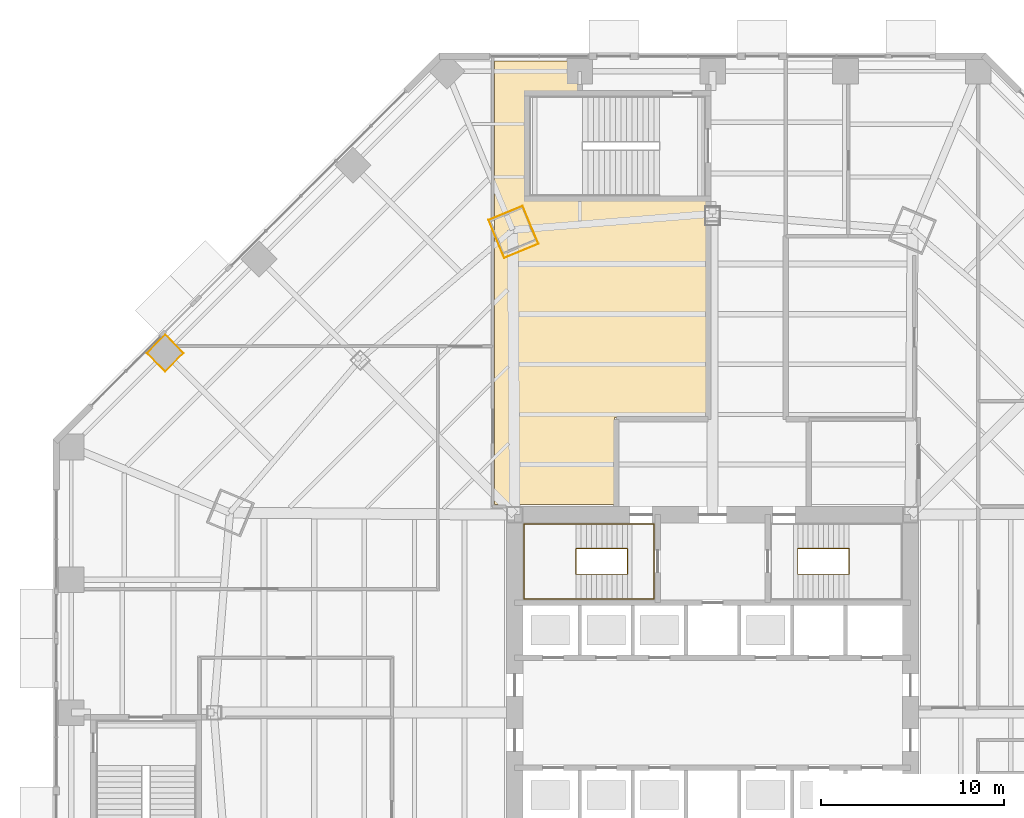
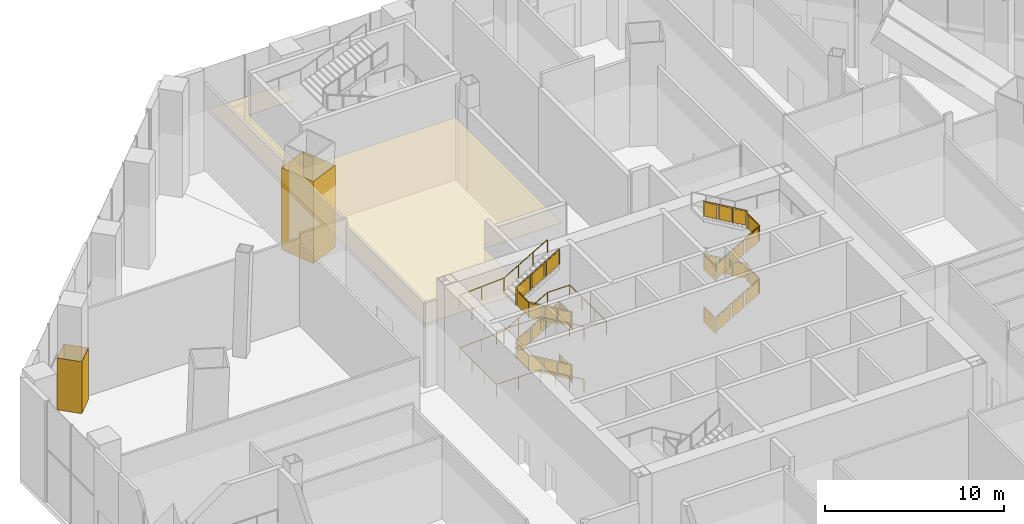
# One storey, part 31 of 35: 3 coverings, 3 railings.
"""IFC4 building model written with IfcOpenShell, lengths in metres."""

from ifc_helpers import new_model, si_unit, direction, frame, origin, origin_2d, place, context, subcontext, project, spatial, polyline, circle, outline, extrude, material, layer, layer_set, type_object, element, save


model = new_model("IFC4")

# Units and contexts
model_context = context("Model", 3, precision=1e-05, world=origin(), true_north=direction((0.0, 1.0)))
body_context = subcontext(model_context, "Body", "Model", "MODEL_VIEW")
ifc_project = project(units=[si_unit("LENGTHUNIT", "METRE"), si_unit("AREAUNIT", "SQUARE_METRE"), si_unit("VOLUMEUNIT", "CUBIC_METRE"), si_unit("PLANEANGLEUNIT", "RADIAN"), si_unit("MASSUNIT", "GRAM", prefix="KILO")], contexts=[model_context])

# Site, building, storey
site_placement = place(None, origin())
site = spatial("IfcSite", under=ifc_project, at=site_placement, CompositionType="ELEMENT")
building_placement = place(site_placement, origin())
building = spatial("IfcBuilding", under=site, at=building_placement, Name="Mashrafa Tower", CompositionType="ELEMENT")
storey_placement = place(building_placement, origin())
storey = spatial("IfcBuildingStorey", under=building, at=storey_placement, Name="L00", CompositionType="ELEMENT", Elevation=0.0)

# Coverings
ifc_material_1 = material(Name="Gypsum board")
ifc_layer_1 = layer(ifc_material_1, 0.014892578125)
ifc_layer_set_1 = layer_set([ifc_layer_1], Name="Column casing plasterboard 15")
covering_type_1 = type_object("IfcCoveringType", Name="Column casing plasterboard 15", PredefinedType="CLADDING", material=ifc_layer_set_1)
covering_1_placement = place(storey_placement, origin())
element("IfcCovering", 1, at=covering_1_placement, inside=storey, type_object=covering_type_1, Name="Column casing L00-001", PredefinedType="CLADDING", context=body_context, shape_type="SweptSolid", body=[
    extrude(outline(polyline([(-11.4638671875, 25.023681640625), (-12.2353515625, 26.88623046875), (-10.35986328125, 27.6630859375), (-10.269775390625, 27.445556640625), (-9.58837890625, 25.800537109375), (-9.498291015625, 25.5830078125), (-11.373779296875, 24.80615234375), (-11.4638671875, 25.023681640625)]), holes=[polyline([(-9.517822265625, 25.59130859375), (-9.602294921875, 25.794921875), (-10.28369140625, 27.439697265625), (-10.367919921875, 27.6435546875), (-12.2158203125, 26.878173828125), (-11.449951171875, 25.029541015625), (-11.365478515625, 24.82568359375), (-9.517822265625, 25.59130859375)])]), origin(), (0.0, 0.0, 1.0), 5.590087890625),
])
covering_2_placement = place(storey_placement, origin())
element("IfcCovering", 2, at=covering_2_placement, inside=storey, type_object=covering_type_1, Name="Column casing L00-004", PredefinedType="CLADDING", context=body_context, shape_type="SweptSolid", body=[
    extrude(outline(polyline([(-30.885498046875, 19.623046875), (-29.87451171875, 20.63427734375), (-28.86328125, 19.623046875), (-29.87451171875, 18.61181640625), (-30.885498046875, 19.623046875)]), holes=[polyline([(-28.884521484375, 19.623046875), (-29.87451171875, 20.613037109375), (-30.8642578125, 19.623046875), (-29.87451171875, 18.63330078125), (-28.884521484375, 19.623046875)])]), origin(), (0.0, 0.0, 1.0), 3.5400390625),
])

# Railings
ifc_material_2 = material(Name="Steel guard with glass infill", Category="steel")
railing_type_1 = type_object("IfcRailingType", Name="Stair guard 1100", PredefinedType="GUARDRAIL", material=ifc_material_2)
railing_1_placement = place(storey_placement, frame((-4.64990234375, 8.949951171875, 0.0)))
element("IfcRailing", 3, at=railing_1_placement, inside=storey, type_object=railing_type_1, Name="Stair S1 guard L00", PredefinedType="GUARDRAIL", context=body_context, shape_type="SweptSolid", body=[
    extrude(circle(Radius=0.02392578125, at=origin_2d()), frame((0.0, 0.0, 1.076171875), z_axis=(0.0, -1.0, 0.0), x_axis=(1.0, 0.0, 0.0)), (0.0, 0.0, 1.0), 1.39990234375),
    extrude(circle(Radius=0.02392578125, at=origin_2d()), frame((0.0, -1.39990234375, 1.076171875), z_axis=(0.0, 0.0, 1.0), x_axis=(1.0, 0.0, 0.0)), (0.0, 0.0, 1.0), 0.16357421875),
    extrude(circle(Radius=0.02392578125, at=origin_2d()), frame((0.0, -1.39990234375, 1.23974609375), z_axis=(-0.863360870873, 0.0, 0.504586966384), x_axis=(0.0, -1.0, 0.0)), (0.0, 0.0, 1.0), 3.2431640625),
    extrude(circle(Radius=0.02392578125, at=origin_2d()), frame((-2.800048828125, -1.39990234375, 2.8759765625), z_axis=(0.0, 1.0, 0.0), x_axis=(-1.0, 0.0, 0.0)), (0.0, 0.0, 1.0), 1.39990234375),
    extrude(circle(Radius=0.02392578125, at=origin_2d()), frame((-2.800048828125, 0.0, 2.8759765625), z_axis=(0.0, 0.0, 1.0), x_axis=(1.0, 0.0, 0.0)), (0.0, 0.0, 1.0), 0.16357421875),
    extrude(circle(Radius=0.02392578125, at=origin_2d()), frame((-2.800048828125, 0.0, 3.03955078125), z_axis=(0.863360870873, 0.0, 0.504586966384), x_axis=(0.0, 1.0, 0.0)), (0.0, 0.0, 1.0), 3.2431640625),
    extrude(circle(Radius=0.02392578125, at=origin_2d()), frame((0.0, 0.0, 4.67626953125), z_axis=(0.0, -1.0, 0.0), x_axis=(1.0, 0.0, 0.0)), (0.0, 0.0, 1.0), 1.39990234375),
    extrude(circle(Radius=0.02392578125, at=origin_2d()), frame((0.0, -1.39990234375, 4.67626953125), z_axis=(0.0, 0.0, 1.0), x_axis=(1.0, 0.0, 0.0)), (0.0, 0.0, 1.0), 0.16357421875),
    extrude(circle(Radius=0.02392578125, at=origin_2d()), frame((0.0, -1.39990234375, 4.83984375), z_axis=(-0.863393664356, 0.0, 0.504530851732), x_axis=(0.0, -1.0, 0.0)), (0.0, 0.0, 1.0), 3.2431640625),
    extrude(circle(Radius=0.02392578125, at=origin_2d()), frame((-2.800048828125, -1.39990234375, 6.47607421875), z_axis=(0.0, 1.0, 0.0), x_axis=(-1.0, 0.0, 0.0)), (0.0, 0.0, 1.0), 1.39990234375),
    extrude(circle(Radius=0.02392578125, at=origin_2d()), frame((-2.800048828125, 0.0, 6.47607421875), z_axis=(0.0, 0.0, 1.0), x_axis=(1.0, 0.0, 0.0)), (0.0, 0.0, 1.0), 0.163818359375),
    extrude(circle(Radius=0.02392578125, at=origin_2d()), frame((-2.800048828125, 0.0, 6.6396484375), z_axis=(0.863393664356, 0.0, 0.504530851732), x_axis=(0.0, 1.0, 0.0)), (0.0, 0.0, 1.0), 3.2431640625),
    extrude(circle(Radius=0.02099609375, at=origin_2d()), origin(), (0.0, 0.0, 1.0), 1.052001953125),
    extrude(circle(Radius=0.02099609375, at=origin_2d()), frame((0.0, -1.39990234375, 0.0)), (0.0, 0.0, 1.0), 1.052001953125),
    extrude(circle(Radius=0.02099609375, at=origin_2d()), frame((0.0, -1.39990234375, 0.16357421875)), (0.0, 0.0, 1.0), 1.052001953125),
    extrude(circle(Radius=0.02099609375, at=origin_2d()), frame((-0.933349609375, -1.39990234375, 0.708984375)), (0.0, 0.0, 1.0), 1.052001953125),
    extrude(circle(Radius=0.02099609375, at=origin_2d()), frame((-1.86669921875, -1.39990234375, 1.254638671875)), (0.0, 0.0, 1.0), 1.052001953125),
    extrude(circle(Radius=0.02099609375, at=origin_2d()), frame((-2.800048828125, -1.39990234375, 1.800048828125)), (0.0, 0.0, 1.0), 1.052001953125),
    extrude(circle(Radius=0.02099609375, at=origin_2d()), frame((-2.800048828125, 0.0, 1.800048828125)), (0.0, 0.0, 1.0), 1.052001953125),
    extrude(circle(Radius=0.02099609375, at=origin_2d()), frame((-2.800048828125, 0.0, 1.963623046875)), (0.0, 0.0, 1.0), 1.052001953125),
    extrude(circle(Radius=0.02099609375, at=origin_2d()), frame((-1.86669921875, 0.0, 2.509033203125)), (0.0, 0.0, 1.0), 1.052001953125),
    extrude(circle(Radius=0.02099609375, at=origin_2d()), frame((-0.933349609375, 0.0, 3.0546875)), (0.0, 0.0, 1.0), 1.052001953125),
    extrude(circle(Radius=0.02099609375, at=origin_2d()), frame((0.0, 0.0, 3.60009765625)), (0.0, 0.0, 1.0), 1.052001953125),
    extrude(circle(Radius=0.02099609375, at=origin_2d()), frame((0.0, -1.39990234375, 3.60009765625)), (0.0, 0.0, 1.0), 1.052001953125),
    extrude(circle(Radius=0.02099609375, at=origin_2d()), frame((0.0, -1.39990234375, 3.763671875)), (0.0, 0.0, 1.0), 1.052001953125),
    extrude(circle(Radius=0.02099609375, at=origin_2d()), frame((-0.933349609375, -1.39990234375, 4.30908203125)), (0.0, 0.0, 1.0), 1.052001953125),
    extrude(circle(Radius=0.02099609375, at=origin_2d()), frame((-1.86669921875, -1.39990234375, 4.8544921875)), (0.0, 0.0, 1.0), 1.052001953125),
    extrude(circle(Radius=0.02099609375, at=origin_2d()), frame((-2.800048828125, -1.39990234375, 5.39990234375)), (0.0, 0.0, 1.0), 1.052001953125),
    extrude(circle(Radius=0.02099609375, at=origin_2d()), frame((-2.800048828125, 0.0, 5.39990234375)), (0.0, 0.0, 1.0), 1.052001953125),
    extrude(circle(Radius=0.02099609375, at=origin_2d()), frame((-2.800048828125, 0.0, 5.563720703125)), (0.0, 0.0, 1.0), 1.052001953125),
    extrude(circle(Radius=0.02099609375, at=origin_2d()), frame((-1.86669921875, 0.0, 6.109130859375)), (0.0, 0.0, 1.0), 1.052001953125),
    extrude(circle(Radius=0.02099609375, at=origin_2d()), frame((-0.933349609375, 0.0, 6.654541015625)), (0.0, 0.0, 1.0), 1.052001953125),
    extrude(circle(Radius=0.02099609375, at=origin_2d()), frame((0.0, 0.0, 7.199951171875)), (0.0, 0.0, 1.0), 1.052001953125),
    extrude(outline(polyline([(0.071044921875, 0.050048828125), (1.328857421875, 0.050048828125), (1.328857421875, 1.001953125), (0.071044921875, 1.001953125), (0.071044921875, 0.050048828125)])), frame((-0.006103515625, 0.0, 0.0), z_axis=(-1.0, 0.0, 0.0), x_axis=(0.0, -1.0, 0.0)), (0.0, 0.0, 1.0), 0.011962890625),
    extrude(outline(polyline([(0.071044921875, 0.091552734375), (0.8623046875, 0.553955078125), (0.8623046875, 1.506103515625), (0.071044921875, 1.04345703125), (0.071044921875, 0.091552734375)])), frame((0.0, -1.393798828125, 0.16357421875), z_axis=(0.0, 1.0, 0.0), x_axis=(-1.0, 0.0, 0.0)), (0.0, 0.0, 1.0), 0.011962890625),
    extrude(outline(polyline([(1.00439453125, 0.636962890625), (1.795654296875, 1.099609375), (1.795654296875, 2.051513671875), (1.00439453125, 1.5888671875), (1.00439453125, 0.636962890625)])), frame((0.0, -1.393798828125, 0.16357421875), z_axis=(0.0, 1.0, 0.0), x_axis=(-1.0, 0.0, 0.0)), (0.0, 0.0, 1.0), 0.011962890625),
    extrude(outline(polyline([(1.937744140625, 1.182373046875), (2.72900390625, 1.64501953125), (2.72900390625, 2.596923828125), (1.937744140625, 2.134521484375), (1.937744140625, 1.182373046875)])), frame((0.0, -1.393798828125, 0.16357421875), z_axis=(0.0, 1.0, 0.0), x_axis=(-1.0, 0.0, 0.0)), (0.0, 0.0, 1.0), 0.011962890625),
    extrude(outline(polyline([(0.071044921875, 0.050048828125), (1.328857421875, 0.050048828125), (1.328857421875, 1.001953125), (0.071044921875, 1.001953125), (0.071044921875, 0.050048828125)])), frame((-2.7939453125, -1.39990234375, 1.800048828125), z_axis=(1.0, 0.0, 0.0), x_axis=(0.0, 1.0, 0.0)), (0.0, 0.0, 1.0), 0.011962890625),
    extrude(outline(polyline([(0.071044921875, 0.091552734375), (0.8623046875, 0.553955078125), (0.8623046875, 1.506103515625), (0.071044921875, 1.04345703125), (0.071044921875, 0.091552734375)])), frame((-2.800048828125, -0.006103515625, 1.963623046875), z_axis=(0.0, -1.0, 0.0), x_axis=(1.0, 0.0, 0.0)), (0.0, 0.0, 1.0), 0.011962890625),
    extrude(outline(polyline([(1.00439453125, 0.636962890625), (1.795654296875, 1.099609375), (1.795654296875, 2.051513671875), (1.00439453125, 1.5888671875), (1.00439453125, 0.636962890625)])), frame((-2.800048828125, -0.006103515625, 1.963623046875), z_axis=(0.0, -1.0, 0.0), x_axis=(1.0, 0.0, 0.0)), (0.0, 0.0, 1.0), 0.011962890625),
    extrude(outline(polyline([(1.937744140625, 1.182373046875), (2.72900390625, 1.64501953125), (2.72900390625, 2.596923828125), (1.937744140625, 2.134521484375), (1.937744140625, 1.182373046875)])), frame((-2.800048828125, -0.006103515625, 1.963623046875), z_axis=(0.0, -1.0, 0.0), x_axis=(1.0, 0.0, 0.0)), (0.0, 0.0, 1.0), 0.011962890625),
    extrude(outline(polyline([(0.071044921875, 0.050048828125), (1.328857421875, 0.050048828125), (1.328857421875, 1.001953125), (0.071044921875, 1.001953125), (0.071044921875, 0.050048828125)])), frame((-0.006103515625, 0.0, 3.60009765625), z_axis=(-1.0, 0.0, 0.0), x_axis=(0.0, -1.0, 0.0)), (0.0, 0.0, 1.0), 0.011962890625),
    extrude(outline(polyline([(0.071044921875, 0.091552734375), (0.8623046875, 0.553955078125), (0.8623046875, 1.505859375), (0.071044921875, 1.04345703125), (0.071044921875, 0.091552734375)])), frame((0.0, -1.393798828125, 3.763671875), z_axis=(0.0, 1.0, 0.0), x_axis=(-1.0, 0.0, 0.0)), (0.0, 0.0, 1.0), 0.011962890625),
    extrude(outline(polyline([(1.00439453125, 0.636962890625), (1.795654296875, 1.099365234375), (1.795654296875, 2.05126953125), (1.00439453125, 1.5888671875), (1.00439453125, 0.636962890625)])), frame((0.0, -1.393798828125, 3.763671875), z_axis=(0.0, 1.0, 0.0), x_axis=(-1.0, 0.0, 0.0)), (0.0, 0.0, 1.0), 0.011962890625),
    extrude(outline(polyline([(1.937744140625, 1.182373046875), (2.72900390625, 1.644775390625), (2.72900390625, 2.5966796875), (1.937744140625, 2.13427734375), (1.937744140625, 1.182373046875)])), frame((0.0, -1.393798828125, 3.763671875), z_axis=(0.0, 1.0, 0.0), x_axis=(-1.0, 0.0, 0.0)), (0.0, 0.0, 1.0), 0.011962890625),
    extrude(outline(polyline([(0.071044921875, 0.050048828125), (1.328857421875, 0.050048828125), (1.328857421875, 1.001953125), (0.071044921875, 1.001953125), (0.071044921875, 0.050048828125)])), frame((-2.7939453125, -1.39990234375, 5.39990234375), z_axis=(1.0, 0.0, 0.0), x_axis=(0.0, 1.0, 0.0)), (0.0, 0.0, 1.0), 0.011962890625),
    extrude(outline(polyline([(0.071044921875, 0.091552734375), (0.8623046875, 0.553955078125), (0.8623046875, 1.505859375), (0.071044921875, 1.04345703125), (0.071044921875, 0.091552734375)])), frame((-2.800048828125, -0.006103515625, 5.563720703125), z_axis=(0.0, -1.0, 0.0), x_axis=(1.0, 0.0, 0.0)), (0.0, 0.0, 1.0), 0.011962890625),
    extrude(outline(polyline([(1.00439453125, 0.636962890625), (1.795654296875, 1.099365234375), (1.795654296875, 2.05126953125), (1.00439453125, 1.5888671875), (1.00439453125, 0.636962890625)])), frame((-2.800048828125, -0.006103515625, 5.563720703125), z_axis=(0.0, -1.0, 0.0), x_axis=(1.0, 0.0, 0.0)), (0.0, 0.0, 1.0), 0.011962890625),
    extrude(outline(polyline([(1.937744140625, 1.182373046875), (2.72900390625, 1.644775390625), (2.72900390625, 2.5966796875), (1.937744140625, 2.13427734375), (1.937744140625, 1.182373046875)])), frame((-2.800048828125, -0.006103515625, 5.563720703125), z_axis=(0.0, -1.0, 0.0), x_axis=(1.0, 0.0, 0.0)), (0.0, 0.0, 1.0), 0.011962890625),
])
railing_2_placement = place(storey_placement, frame((4.64990234375, 8.949951171875, 0.0)))
element("IfcRailing", 4, at=railing_2_placement, inside=storey, type_object=railing_type_1, Name="Stair S2 guard L00", PredefinedType="GUARDRAIL", context=body_context, shape_type="SweptSolid", body=[
    extrude(circle(Radius=0.02392578125, at=origin_2d()), frame((0.0, 0.0, 1.076171875), z_axis=(0.0, -1.0, 0.0), x_axis=(1.0, 0.0, 0.0)), (0.0, 0.0, 1.0), 1.39990234375),
    extrude(circle(Radius=0.02392578125, at=origin_2d()), frame((0.0, -1.39990234375, 1.076171875), z_axis=(0.0, 0.0, 1.0), x_axis=(1.0, 0.0, 0.0)), (0.0, 0.0, 1.0), 0.16357421875),
    extrude(circle(Radius=0.02392578125, at=origin_2d()), frame((0.0, -1.39990234375, 1.23974609375), z_axis=(0.863360870873, 0.0, 0.504586966384), x_axis=(0.0, 1.0, 0.0)), (0.0, 0.0, 1.0), 3.2431640625),
    extrude(circle(Radius=0.02392578125, at=origin_2d()), frame((2.800048828125, -1.39990234375, 2.8759765625), z_axis=(0.0, 1.0, 0.0), x_axis=(-1.0, 0.0, 0.0)), (0.0, 0.0, 1.0), 1.39990234375),
    extrude(circle(Radius=0.02392578125, at=origin_2d()), frame((2.800048828125, 0.0, 2.8759765625), z_axis=(0.0, 0.0, 1.0), x_axis=(1.0, 0.0, 0.0)), (0.0, 0.0, 1.0), 0.16357421875),
    extrude(circle(Radius=0.02392578125, at=origin_2d()), frame((2.800048828125, 0.0, 3.03955078125), z_axis=(-0.863360870873, 0.0, 0.504586966384), x_axis=(0.0, -1.0, 0.0)), (0.0, 0.0, 1.0), 3.2431640625),
    extrude(circle(Radius=0.02392578125, at=origin_2d()), frame((0.0, 0.0, 4.67626953125), z_axis=(0.0, -1.0, 0.0), x_axis=(1.0, 0.0, 0.0)), (0.0, 0.0, 1.0), 1.39990234375),
    extrude(circle(Radius=0.02392578125, at=origin_2d()), frame((0.0, -1.39990234375, 4.67626953125), z_axis=(0.0, 0.0, 1.0), x_axis=(1.0, 0.0, 0.0)), (0.0, 0.0, 1.0), 0.16357421875),
    extrude(circle(Radius=0.02392578125, at=origin_2d()), frame((0.0, -1.39990234375, 4.83984375), z_axis=(0.863393664356, 0.0, 0.504530851732), x_axis=(0.0, 1.0, 0.0)), (0.0, 0.0, 1.0), 3.2431640625),
    extrude(circle(Radius=0.02392578125, at=origin_2d()), frame((2.800048828125, -1.39990234375, 6.47607421875), z_axis=(0.0, 1.0, 0.0), x_axis=(-1.0, 0.0, 0.0)), (0.0, 0.0, 1.0), 1.39990234375),
    extrude(circle(Radius=0.02392578125, at=origin_2d()), frame((2.800048828125, 0.0, 6.47607421875), z_axis=(0.0, 0.0, 1.0), x_axis=(1.0, 0.0, 0.0)), (0.0, 0.0, 1.0), 0.163818359375),
    extrude(circle(Radius=0.02392578125, at=origin_2d()), frame((2.800048828125, 0.0, 6.6396484375), z_axis=(-0.863393664356, 0.0, 0.504530851732), x_axis=(0.0, -1.0, 0.0)), (0.0, 0.0, 1.0), 3.2431640625),
    extrude(circle(Radius=0.02099609375, at=origin_2d()), origin(), (0.0, 0.0, 1.0), 1.052001953125),
    extrude(circle(Radius=0.02099609375, at=origin_2d()), frame((0.0, -1.39990234375, 0.0)), (0.0, 0.0, 1.0), 1.052001953125),
    extrude(circle(Radius=0.02099609375, at=origin_2d()), frame((0.0, -1.39990234375, 0.16357421875)), (0.0, 0.0, 1.0), 1.052001953125),
    extrude(circle(Radius=0.02099609375, at=origin_2d()), frame((0.933349609375, -1.39990234375, 0.708984375)), (0.0, 0.0, 1.0), 1.052001953125),
    extrude(circle(Radius=0.02099609375, at=origin_2d()), frame((1.86669921875, -1.39990234375, 1.254638671875)), (0.0, 0.0, 1.0), 1.052001953125),
    extrude(circle(Radius=0.02099609375, at=origin_2d()), frame((2.800048828125, -1.39990234375, 1.800048828125)), (0.0, 0.0, 1.0), 1.052001953125),
    extrude(circle(Radius=0.02099609375, at=origin_2d()), frame((2.800048828125, 0.0, 1.800048828125)), (0.0, 0.0, 1.0), 1.052001953125),
    extrude(circle(Radius=0.02099609375, at=origin_2d()), frame((2.800048828125, 0.0, 1.963623046875)), (0.0, 0.0, 1.0), 1.052001953125),
    extrude(circle(Radius=0.02099609375, at=origin_2d()), frame((1.86669921875, 0.0, 2.509033203125)), (0.0, 0.0, 1.0), 1.052001953125),
    extrude(circle(Radius=0.02099609375, at=origin_2d()), frame((0.933349609375, 0.0, 3.0546875)), (0.0, 0.0, 1.0), 1.052001953125),
    extrude(circle(Radius=0.02099609375, at=origin_2d()), frame((0.0, 0.0, 3.60009765625)), (0.0, 0.0, 1.0), 1.052001953125),
    extrude(circle(Radius=0.02099609375, at=origin_2d()), frame((0.0, -1.39990234375, 3.60009765625)), (0.0, 0.0, 1.0), 1.052001953125),
    extrude(circle(Radius=0.02099609375, at=origin_2d()), frame((0.0, -1.39990234375, 3.763671875)), (0.0, 0.0, 1.0), 1.052001953125),
    extrude(circle(Radius=0.02099609375, at=origin_2d()), frame((0.933349609375, -1.39990234375, 4.30908203125)), (0.0, 0.0, 1.0), 1.052001953125),
    extrude(circle(Radius=0.02099609375, at=origin_2d()), frame((1.86669921875, -1.39990234375, 4.8544921875)), (0.0, 0.0, 1.0), 1.052001953125),
    extrude(circle(Radius=0.02099609375, at=origin_2d()), frame((2.800048828125, -1.39990234375, 5.39990234375)), (0.0, 0.0, 1.0), 1.052001953125),
    extrude(circle(Radius=0.02099609375, at=origin_2d()), frame((2.800048828125, 0.0, 5.39990234375)), (0.0, 0.0, 1.0), 1.052001953125),
    extrude(circle(Radius=0.02099609375, at=origin_2d()), frame((2.800048828125, 0.0, 5.563720703125)), (0.0, 0.0, 1.0), 1.052001953125),
    extrude(circle(Radius=0.02099609375, at=origin_2d()), frame((1.86669921875, 0.0, 6.109130859375)), (0.0, 0.0, 1.0), 1.052001953125),
    extrude(circle(Radius=0.02099609375, at=origin_2d()), frame((0.933349609375, 0.0, 6.654541015625)), (0.0, 0.0, 1.0), 1.052001953125),
    extrude(circle(Radius=0.02099609375, at=origin_2d()), frame((0.0, 0.0, 7.199951171875)), (0.0, 0.0, 1.0), 1.052001953125),
    extrude(outline(polyline([(0.071044921875, 0.050048828125), (1.328857421875, 0.050048828125), (1.328857421875, 1.001953125), (0.071044921875, 1.001953125), (0.071044921875, 0.050048828125)])), frame((-0.006103515625, 0.0, 0.0), z_axis=(-1.0, 0.0, 0.0), x_axis=(0.0, -1.0, 0.0)), (0.0, 0.0, 1.0), 0.011962890625),
    extrude(outline(polyline([(0.071044921875, 0.091552734375), (0.8623046875, 0.553955078125), (0.8623046875, 1.506103515625), (0.071044921875, 1.04345703125), (0.071044921875, 0.091552734375)])), frame((0.0, -1.406005859375, 0.16357421875), z_axis=(0.0, -1.0, 0.0), x_axis=(1.0, 0.0, 0.0)), (0.0, 0.0, 1.0), 0.011962890625),
    extrude(outline(polyline([(1.00439453125, 0.636962890625), (1.795654296875, 1.099609375), (1.795654296875, 2.051513671875), (1.00439453125, 1.5888671875), (1.00439453125, 0.636962890625)])), frame((0.0, -1.406005859375, 0.16357421875), z_axis=(0.0, -1.0, 0.0), x_axis=(1.0, 0.0, 0.0)), (0.0, 0.0, 1.0), 0.011962890625),
    extrude(outline(polyline([(1.937744140625, 1.182373046875), (2.72900390625, 1.64501953125), (2.72900390625, 2.596923828125), (1.937744140625, 2.134521484375), (1.937744140625, 1.182373046875)])), frame((0.0, -1.406005859375, 0.16357421875), z_axis=(0.0, -1.0, 0.0), x_axis=(1.0, 0.0, 0.0)), (0.0, 0.0, 1.0), 0.011962890625),
    extrude(outline(polyline([(0.071044921875, 0.050048828125), (1.328857421875, 0.050048828125), (1.328857421875, 1.001953125), (0.071044921875, 1.001953125), (0.071044921875, 0.050048828125)])), frame((2.80615234375, -1.39990234375, 1.800048828125), z_axis=(1.0, 0.0, 0.0), x_axis=(0.0, 1.0, 0.0)), (0.0, 0.0, 1.0), 0.011962890625),
    extrude(outline(polyline([(0.071044921875, 0.091552734375), (0.8623046875, 0.553955078125), (0.8623046875, 1.506103515625), (0.071044921875, 1.04345703125), (0.071044921875, 0.091552734375)])), frame((2.800048828125, 0.006103515625, 1.963623046875), z_axis=(0.0, 1.0, 0.0), x_axis=(-1.0, 0.0, 0.0)), (0.0, 0.0, 1.0), 0.011962890625),
    extrude(outline(polyline([(1.00439453125, 0.636962890625), (1.795654296875, 1.099609375), (1.795654296875, 2.051513671875), (1.00439453125, 1.5888671875), (1.00439453125, 0.636962890625)])), frame((2.800048828125, 0.006103515625, 1.963623046875), z_axis=(0.0, 1.0, 0.0), x_axis=(-1.0, 0.0, 0.0)), (0.0, 0.0, 1.0), 0.011962890625),
    extrude(outline(polyline([(1.937744140625, 1.182373046875), (2.72900390625, 1.64501953125), (2.72900390625, 2.596923828125), (1.937744140625, 2.134521484375), (1.937744140625, 1.182373046875)])), frame((2.800048828125, 0.006103515625, 1.963623046875), z_axis=(0.0, 1.0, 0.0), x_axis=(-1.0, 0.0, 0.0)), (0.0, 0.0, 1.0), 0.011962890625),
    extrude(outline(polyline([(0.071044921875, 0.050048828125), (1.328857421875, 0.050048828125), (1.328857421875, 1.001953125), (0.071044921875, 1.001953125), (0.071044921875, 0.050048828125)])), frame((-0.006103515625, 0.0, 3.60009765625), z_axis=(-1.0, 0.0, 0.0), x_axis=(0.0, -1.0, 0.0)), (0.0, 0.0, 1.0), 0.011962890625),
    extrude(outline(polyline([(0.071044921875, 0.091552734375), (0.8623046875, 0.553955078125), (0.8623046875, 1.505859375), (0.071044921875, 1.04345703125), (0.071044921875, 0.091552734375)])), frame((0.0, -1.406005859375, 3.763671875), z_axis=(0.0, -1.0, 0.0), x_axis=(1.0, 0.0, 0.0)), (0.0, 0.0, 1.0), 0.011962890625),
    extrude(outline(polyline([(1.00439453125, 0.636962890625), (1.795654296875, 1.099365234375), (1.795654296875, 2.05126953125), (1.00439453125, 1.5888671875), (1.00439453125, 0.636962890625)])), frame((0.0, -1.406005859375, 3.763671875), z_axis=(0.0, -1.0, 0.0), x_axis=(1.0, 0.0, 0.0)), (0.0, 0.0, 1.0), 0.011962890625),
    extrude(outline(polyline([(1.937744140625, 1.182373046875), (2.72900390625, 1.644775390625), (2.72900390625, 2.5966796875), (1.937744140625, 2.13427734375), (1.937744140625, 1.182373046875)])), frame((0.0, -1.406005859375, 3.763671875), z_axis=(0.0, -1.0, 0.0), x_axis=(1.0, 0.0, 0.0)), (0.0, 0.0, 1.0), 0.011962890625),
    extrude(outline(polyline([(0.071044921875, 0.050048828125), (1.328857421875, 0.050048828125), (1.328857421875, 1.001953125), (0.071044921875, 1.001953125), (0.071044921875, 0.050048828125)])), frame((2.80615234375, -1.39990234375, 5.39990234375), z_axis=(1.0, 0.0, 0.0), x_axis=(0.0, 1.0, 0.0)), (0.0, 0.0, 1.0), 0.011962890625),
    extrude(outline(polyline([(0.071044921875, 0.091552734375), (0.8623046875, 0.553955078125), (0.8623046875, 1.505859375), (0.071044921875, 1.04345703125), (0.071044921875, 0.091552734375)])), frame((2.800048828125, 0.006103515625, 5.563720703125), z_axis=(0.0, 1.0, 0.0), x_axis=(-1.0, 0.0, 0.0)), (0.0, 0.0, 1.0), 0.011962890625),
    extrude(outline(polyline([(1.00439453125, 0.636962890625), (1.795654296875, 1.099365234375), (1.795654296875, 2.05126953125), (1.00439453125, 1.5888671875), (1.00439453125, 0.636962890625)])), frame((2.800048828125, 0.006103515625, 5.563720703125), z_axis=(0.0, 1.0, 0.0), x_axis=(-1.0, 0.0, 0.0)), (0.0, 0.0, 1.0), 0.011962890625),
    extrude(outline(polyline([(1.937744140625, 1.182373046875), (2.72900390625, 1.644775390625), (2.72900390625, 2.5966796875), (1.937744140625, 2.13427734375), (1.937744140625, 1.182373046875)])), frame((2.800048828125, 0.006103515625, 5.563720703125), z_axis=(0.0, 1.0, 0.0), x_axis=(-1.0, 0.0, 0.0)), (0.0, 0.0, 1.0), 0.011962890625),
])
ifc_material_3 = material(Name="Steel", Category="steel")
railing_type_2 = type_object("IfcRailingType", Name="Stair handrail 900", PredefinedType="HANDRAIL", material=ifc_material_3)
railing_3_placement = place(storey_placement, frame((-4.64990234375, 6.199951171875, 0.16357421875)))
element("IfcRailing", 5, at=railing_3_placement, inside=storey, type_object=railing_type_2, Name="Stair S1 handrail L00", PredefinedType="HANDRAIL", context=body_context, shape_type="SweptSolid", body=[
    extrude(circle(Radius=0.02392578125, at=origin_2d()), frame((0.0, 0.0, 0.8759765625), z_axis=(-0.863360870873, 0.0, 0.504586966384), x_axis=(0.0, -1.0, 0.0)), (0.0, 0.0, 1.0), 3.2431640625),
    extrude(circle(Radius=0.02392578125, at=origin_2d()), frame((-2.800048828125, 0.0, 2.51220703125), z_axis=(-1.0, 0.0, 0.0), x_axis=(0.0, -1.0, 0.0)), (0.0, 0.0, 1.0), 2.85009765625),
    extrude(circle(Radius=0.02392578125, at=origin_2d()), frame((-5.650146484375, 0.0, 2.51220703125), z_axis=(0.0, 1.0, 0.0), x_axis=(-1.0, 0.0, 0.0)), (0.0, 0.0, 1.0), 4.10009765625),
    extrude(circle(Radius=0.02392578125, at=origin_2d()), frame((-5.650146484375, 4.10009765625, 2.51220703125), z_axis=(0.99835710822, 0.0, 0.057298206485), x_axis=(0.0, 1.0, 0.0)), (0.0, 0.0, 1.0), 2.854736328125),
    extrude(circle(Radius=0.02392578125, at=origin_2d()), frame((-2.800048828125, 4.10009765625, 2.67578125), z_axis=(0.863360870873, 0.0, 0.504586966384), x_axis=(0.0, 1.0, 0.0)), (0.0, 0.0, 1.0), 3.2431640625),
    extrude(circle(Radius=0.02392578125, at=origin_2d()), frame((0.0, 4.10009765625, 4.3125), z_axis=(1.0, 0.0, 0.0), x_axis=(0.0, 1.0, 0.0)), (0.0, 0.0, 1.0), 1.449951171875),
    extrude(circle(Radius=0.02392578125, at=origin_2d()), frame((1.449951171875, 4.10009765625, 4.3125), z_axis=(0.0, -1.0, 0.0), x_axis=(1.0, 0.0, 0.0)), (0.0, 0.0, 1.0), 4.10009765625),
    extrude(circle(Radius=0.02392578125, at=origin_2d()), frame((1.449951171875, 0.0, 4.3125), z_axis=(-0.993696648495, 0.0, 0.112102501177), x_axis=(0.0, -1.0, 0.0)), (0.0, 0.0, 1.0), 1.459228515625),
    extrude(circle(Radius=0.02392578125, at=origin_2d()), frame((0.0, 0.0, 4.47607421875), z_axis=(-0.863393664356, 0.0, 0.504530851732), x_axis=(0.0, -1.0, 0.0)), (0.0, 0.0, 1.0), 3.2431640625),
    extrude(circle(Radius=0.02392578125, at=origin_2d()), frame((-2.800048828125, 0.0, 6.1123046875), z_axis=(-1.0, 0.0, 0.0), x_axis=(0.0, -1.0, 0.0)), (0.0, 0.0, 1.0), 2.85009765625),
    extrude(circle(Radius=0.02392578125, at=origin_2d()), frame((-5.650146484375, 0.0, 6.1123046875), z_axis=(0.0, 1.0, 0.0), x_axis=(-1.0, 0.0, 0.0)), (0.0, 0.0, 1.0), 4.10009765625),
    extrude(circle(Radius=0.02392578125, at=origin_2d()), frame((-5.650146484375, 4.10009765625, 6.1123046875), z_axis=(0.99835221253, 0.0, 0.057383444801), x_axis=(0.0, 1.0, 0.0)), (0.0, 0.0, 1.0), 2.854736328125),
    extrude(circle(Radius=0.02392578125, at=origin_2d()), frame((-2.800048828125, 4.10009765625, 6.27587890625), z_axis=(0.863393664356, 0.0, 0.504530851732), x_axis=(0.0, 1.0, 0.0)), (0.0, 0.0, 1.0), 3.2431640625),
    extrude(circle(Radius=0.02099609375, at=origin_2d()), origin(), (0.0, 0.0, 1.0), 0.851806640625),
    extrude(circle(Radius=0.02099609375, at=origin_2d()), frame((-0.933349609375, 0.0, 0.54541015625)), (0.0, 0.0, 1.0), 0.851806640625),
    extrude(circle(Radius=0.02099609375, at=origin_2d()), frame((-1.86669921875, 0.0, 1.091064453125)), (0.0, 0.0, 1.0), 0.851806640625),
    extrude(circle(Radius=0.02099609375, at=origin_2d()), frame((-2.800048828125, 0.0, 1.636474609375)), (0.0, 0.0, 1.0), 0.851806640625),
    extrude(circle(Radius=0.02099609375, at=origin_2d()), frame((-4.22509765625, 0.0, 1.636474609375)), (0.0, 0.0, 1.0), 0.851806640625),
    extrude(circle(Radius=0.02099609375, at=origin_2d()), frame((-5.650146484375, 0.0, 1.636474609375)), (0.0, 0.0, 1.0), 0.851806640625),
    extrude(circle(Radius=0.02099609375, at=origin_2d()), frame((-5.650146484375, 1.36669921875, 1.636474609375)), (0.0, 0.0, 1.0), 0.851806640625),
    extrude(circle(Radius=0.02099609375, at=origin_2d()), frame((-5.650146484375, 2.7333984375, 1.636474609375)), (0.0, 0.0, 1.0), 0.851806640625),
    extrude(circle(Radius=0.02099609375, at=origin_2d()), frame((-5.650146484375, 4.10009765625, 1.636474609375)), (0.0, 0.0, 1.0), 0.851806640625),
    extrude(circle(Radius=0.02099609375, at=origin_2d()), frame((-4.22509765625, 4.10009765625, 1.71826171875)), (0.0, 0.0, 1.0), 0.851806640625),
    extrude(circle(Radius=0.02099609375, at=origin_2d()), frame((-2.800048828125, 4.10009765625, 1.800048828125)), (0.0, 0.0, 1.0), 0.851806640625),
    extrude(circle(Radius=0.02099609375, at=origin_2d()), frame((-1.86669921875, 4.10009765625, 2.345458984375)), (0.0, 0.0, 1.0), 0.851806640625),
    extrude(circle(Radius=0.02099609375, at=origin_2d()), frame((-0.933349609375, 4.10009765625, 2.89111328125)), (0.0, 0.0, 1.0), 0.851806640625),
    extrude(circle(Radius=0.02099609375, at=origin_2d()), frame((0.0, 4.10009765625, 3.4365234375)), (0.0, 0.0, 1.0), 0.851806640625),
    extrude(circle(Radius=0.02099609375, at=origin_2d()), frame((1.449951171875, 4.10009765625, 3.4365234375)), (0.0, 0.0, 1.0), 0.851806640625),
    extrude(circle(Radius=0.02099609375, at=origin_2d()), frame((1.449951171875, 2.7333984375, 3.4365234375)), (0.0, 0.0, 1.0), 0.851806640625),
    extrude(circle(Radius=0.02099609375, at=origin_2d()), frame((1.449951171875, 1.36669921875, 3.4365234375)), (0.0, 0.0, 1.0), 0.851806640625),
    extrude(circle(Radius=0.02099609375, at=origin_2d()), frame((1.449951171875, 0.0, 3.4365234375)), (0.0, 0.0, 1.0), 0.851806640625),
    extrude(circle(Radius=0.02099609375, at=origin_2d()), frame((0.0, 0.0, 3.60009765625)), (0.0, 0.0, 1.0), 0.851806640625),
    extrude(circle(Radius=0.02099609375, at=origin_2d()), frame((-0.933349609375, 0.0, 4.1455078125)), (0.0, 0.0, 1.0), 0.851806640625),
    extrude(circle(Radius=0.02099609375, at=origin_2d()), frame((-1.86669921875, 0.0, 4.69091796875)), (0.0, 0.0, 1.0), 0.851806640625),
    extrude(circle(Radius=0.02099609375, at=origin_2d()), frame((-2.800048828125, 0.0, 5.236328125)), (0.0, 0.0, 1.0), 0.851806640625),
    extrude(circle(Radius=0.02099609375, at=origin_2d()), frame((-4.22509765625, 0.0, 5.236328125)), (0.0, 0.0, 1.0), 0.851806640625),
    extrude(circle(Radius=0.02099609375, at=origin_2d()), frame((-5.650146484375, 0.0, 5.236328125)), (0.0, 0.0, 1.0), 0.851806640625),
    extrude(circle(Radius=0.02099609375, at=origin_2d()), frame((-5.650146484375, 1.36669921875, 5.236328125)), (0.0, 0.0, 1.0), 0.851806640625),
    extrude(circle(Radius=0.02099609375, at=origin_2d()), frame((-5.650146484375, 2.7333984375, 5.236328125)), (0.0, 0.0, 1.0), 0.851806640625),
    extrude(circle(Radius=0.02099609375, at=origin_2d()), frame((-5.650146484375, 4.10009765625, 5.236328125)), (0.0, 0.0, 1.0), 0.851806640625),
    extrude(circle(Radius=0.02099609375, at=origin_2d()), frame((-4.22509765625, 4.10009765625, 5.318359375)), (0.0, 0.0, 1.0), 0.851806640625),
    extrude(circle(Radius=0.02099609375, at=origin_2d()), frame((-2.800048828125, 4.10009765625, 5.400146484375)), (0.0, 0.0, 1.0), 0.851806640625),
    extrude(circle(Radius=0.02099609375, at=origin_2d()), frame((-1.86669921875, 4.10009765625, 5.945556640625)), (0.0, 0.0, 1.0), 0.851806640625),
    extrude(circle(Radius=0.02099609375, at=origin_2d()), frame((-0.933349609375, 4.10009765625, 6.490966796875)), (0.0, 0.0, 1.0), 0.851806640625),
    extrude(circle(Radius=0.02099609375, at=origin_2d()), frame((0.0, 4.10009765625, 7.036376953125)), (0.0, 0.0, 1.0), 0.851806640625),
])

# Covering
ifc_material_4 = material(Name="Mineral fibre tile on suspension grid")
ifc_layer_2 = layer(ifc_material_4, 0.014892578125)
ifc_layer_set_2 = layer_set([ifc_layer_2], Name="Suspended ceiling mineral tile 15")
covering_type_2 = type_object("IfcCoveringType", Name="Suspended ceiling mineral tile 15", PredefinedType="CEILING", material=ifc_layer_set_2)
covering_3_placement = place(storey_placement, frame((0.0, 0.0, 4.199951171875)))
element("IfcCovering", 6, at=covering_3_placement, inside=storey, type_object=covering_type_2, Name="Ceiling Visitor Information Room L00", PredefinedType="CEILING", context=body_context, shape_type="SweptSolid", body=[
    extrude(outline(polyline([(-5.35009765625, 11.35009765625), (-11.89990234375, 11.35009765625), (-11.89990234375, 35.550048828125), (-7.3486328125, 35.550048828125), (-7.3486328125, 33.89990234375), (-10.25, 33.89990234375), (-10.25, 27.949951171875), (-0.35009765625, 27.949951171875), (-0.35009765625, 16.10009765625), (-5.35009765625, 16.10009765625), (-5.35009765625, 11.35009765625)])), origin(), (0.0, 0.0, 1.0), 0.01513671875),
])

save(model, "model.ifc")
